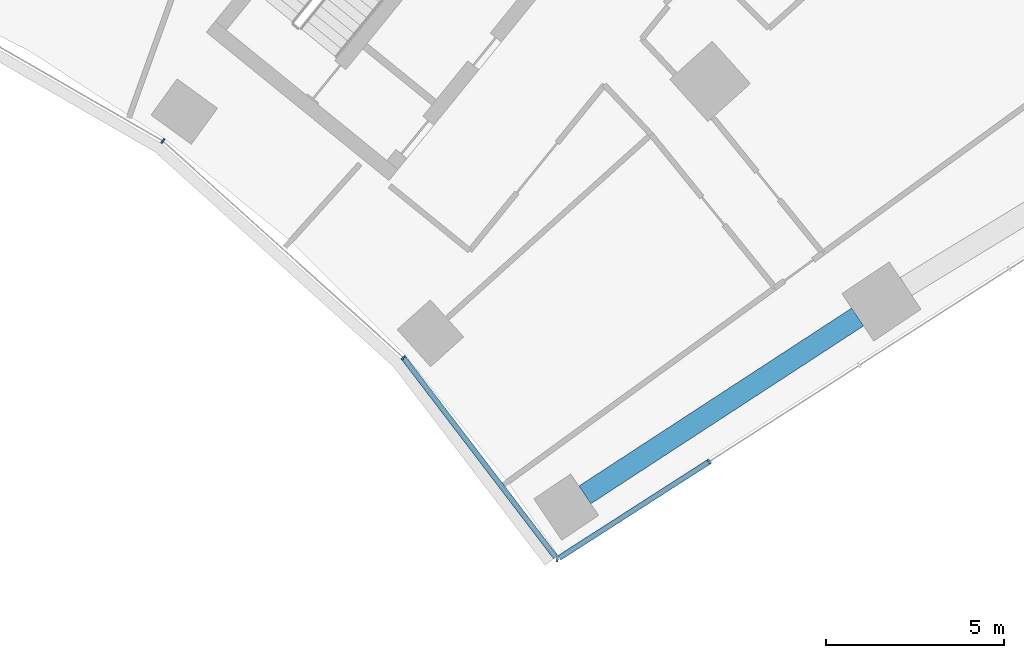
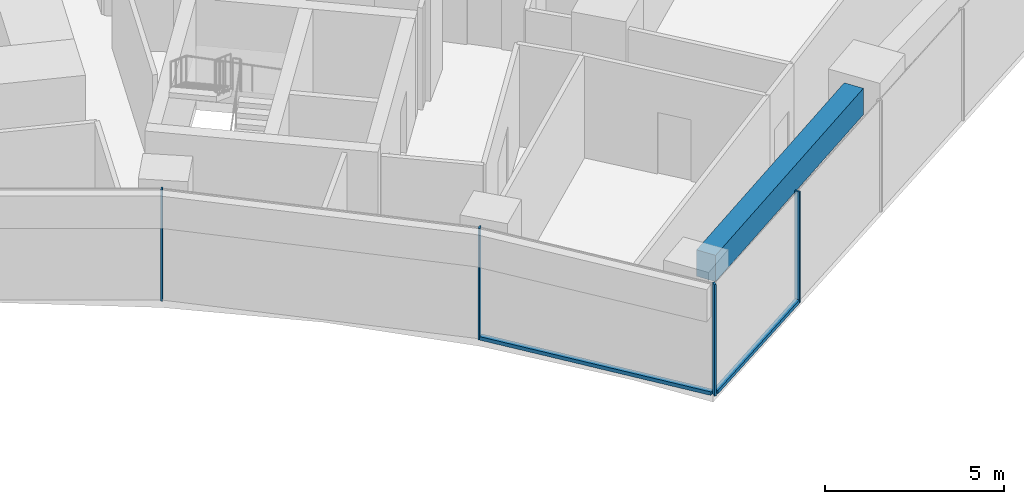
# One storey, part 8 of 21: 6 members, 1 beam, 2 elements without a shape of their own.
"""IFC4 building model written with IfcOpenShell, lengths in metres."""

import ifcopenshell
import ifcopenshell.guid

model = None  # the IFC model being written
_history = None  # IfcOwnerHistory: only IFC2X3 demands one
_inside = {}  # id of a spatial element -> (the spatial element, [elements in it])
_under = {}  # id of a project, library or spatial element -> (it, [spatial elements below it])
_declared = {}  # id of a project -> (the project, [libraries it declares])
_typed = {}  # id of a type object -> (the type object, [elements of that type])
_made_of = {}  # id of a material, layer set ... -> (it, [elements and type objects made of it])


def new_model(schema):
    """Start an empty IFC model of exactly this schema.

    Asked for "IFC4X3", IfcOpenShell would pick the latest addendum, in which some entities
    have other attributes; the version numbers below select the first issue.
    IFC2X3 requires an IfcOwnerHistory on every rooted entity: one is made here for all.
    """
    global model, _history
    if schema == "IFC4X3":
        model = ifcopenshell.file(schema_version=(4, 3, 0, 0))
    else:
        model = ifcopenshell.file(schema=schema)
    _inside.clear()
    _under.clear()
    _declared.clear()
    _typed.clear()
    _made_of.clear()
    _history = None
    if model.schema == "IFC2X3":
        org = make("IfcOrganization", Name="unknown")
        user = make(
            "IfcPersonAndOrganization",
            ThePerson=make("IfcPerson", FamilyName="unknown"),
            TheOrganization=org,
        )
        app = make(
            "IfcApplication",
            ApplicationDeveloper=org,
            Version="unknown",
            ApplicationFullName="unknown",
            ApplicationIdentifier="unknown",
        )
        _history = make(
            "IfcOwnerHistory",
            OwningUser=user,
            OwningApplication=app,
            ChangeAction="ADDED",
            CreationDate=0,
        )
    return model


def make(cls, **values):
    """One entity of the class cls with the attributes given. An attribute that is None is left unset."""
    return model.create_entity(
        cls, **{name: value for name, value in values.items() if value is not None}
    )


def rooted(cls, **values):
    """An entity with a GlobalId (a new one), such as an element, a storey or a relation."""
    return make(cls, GlobalId=ifcopenshell.guid.new(), OwnerHistory=_history, **values)


def si_unit(unit_type, name, prefix=None):
    """IfcSIUnit, for example si_unit("LENGTHUNIT", "METRE", prefix="MILLI")."""
    return make("IfcSIUnit", UnitType=unit_type, Prefix=prefix, Name=name)


def assignment(units):
    """IfcUnitAssignment: the units of a project."""
    return None if units is None else make("IfcUnitAssignment", Units=units)


def point(xyz):
    """IfcCartesianPoint."""
    return None if xyz is None else make("IfcCartesianPoint", Coordinates=xyz)


def direction(xyz):
    """IfcDirection."""
    return None if xyz is None else make("IfcDirection", DirectionRatios=xyz)


def frame(location, z_axis=None, x_axis=None):
    """IfcAxis2Placement3D, a coordinate frame: its origin and axes. An axis left out is left unset."""
    return make(
        "IfcAxis2Placement3D",
        Location=point(location),
        Axis=direction(z_axis),
        RefDirection=direction(x_axis),
    )


def frame_2d(location, x_axis=None):
    """IfcAxis2Placement2D, a coordinate frame in the plane: its origin and x axis."""
    return make(
        "IfcAxis2Placement2D", Location=point(location), RefDirection=direction(x_axis)
    )


def origin():
    """The frame at (0, 0, 0) with its axes left unset."""
    return frame((0.0, 0.0, 0.0))


def origin_2d():
    """The frame at (0, 0) in the plane with its x axis left unset."""
    return frame_2d((0.0, 0.0))


def place(relative_to, where):
    """IfcLocalPlacement: puts the frame where relative to a parent placement (None: the world)."""
    return make(
        "IfcLocalPlacement", PlacementRelTo=relative_to, RelativePlacement=where
    )


def context(
    kind, dimensions, precision=None, world=None, true_north=None, identifier=None
):
    """IfcGeometricRepresentationContext, for example the 3D "Model" context."""
    return make(
        "IfcGeometricRepresentationContext",
        ContextIdentifier=identifier,
        ContextType=kind,
        CoordinateSpaceDimension=dimensions,
        Precision=precision,
        WorldCoordinateSystem=world,
        TrueNorth=true_north,
    )


def subcontext(parent, identifier, kind, view, scale=None):
    """IfcGeometricRepresentationSubContext, for example "Body" below "Model"."""
    return make(
        "IfcGeometricRepresentationSubContext",
        ContextIdentifier=identifier,
        ContextType=kind,
        ParentContext=parent,
        TargetScale=scale,
        TargetView=view,
    )


def project(units=None, contexts=None):
    """IfcProject with its units and contexts."""
    return rooted(
        "IfcProject",
        Name="project",
        RepresentationContexts=contexts,
        UnitsInContext=assignment(units),
    )


def spatial(cls, under=None, at=None, **own):
    """A site, building, storey or space (cls), placed at a placement, below another one or the project."""
    s = rooted(cls, ObjectPlacement=at, **own)
    if under is not None:
        _under.setdefault(under.id(), (under, []))[1].append(s)
    return s


def profile(cls, at=None, kind="AREA", **sizes):
    """A parametric profile (cls). Its sizes go by their IFC names, for example OverallWidth=200.0."""
    return make(cls, ProfileType=kind, Position=at, **sizes)


def rectangle(**sizes):
    """IfcRectangleProfileDef."""
    return profile("IfcRectangleProfileDef", **sizes)


def extrude(swept, where, along, depth):
    """IfcExtrudedAreaSolid: the profile swept, set in the frame where, extruded along a direction by depth."""
    return make(
        "IfcExtrudedAreaSolid",
        SweptArea=swept,
        Position=where,
        ExtrudedDirection=direction(along),
        Depth=depth,
    )


def shape(context_of_items, identifier, shape_type, items):
    """IfcShapeRepresentation: the items that make up one representation, for example the "Body"."""
    return make(
        "IfcShapeRepresentation",
        ContextOfItems=context_of_items,
        RepresentationIdentifier=identifier,
        RepresentationType=shape_type,
        Items=items,
    )


def material(Name=None, Category=None):
    """IfcMaterial."""
    return make("IfcMaterial", Name=Name, Category=Category)


def layer(
    of_material, thickness, ventilated=None, Name=None, Category=None, Priority=None
):
    """IfcMaterialLayer: one layer of a wall or slab, of a material (None: an air gap)."""
    return make(
        "IfcMaterialLayer",
        Material=of_material,
        LayerThickness=thickness,
        IsVentilated=ventilated,
        Name=Name,
        Category=Category,
        Priority=Priority,
    )


def layer_set(layers, Name=None):
    """IfcMaterialLayerSet."""
    return make("IfcMaterialLayerSet", MaterialLayers=layers, LayerSetName=Name)


def material_profile(
    of_material, cross_section, Name=None, Category=None, Priority=None
):
    """IfcMaterialProfile: a cross section and its material."""
    return make(
        "IfcMaterialProfile",
        Name=Name,
        Material=of_material,
        Profile=cross_section,
        Priority=Priority,
        Category=Category,
    )


def profile_set(profiles, Name=None, composite=None):
    """IfcMaterialProfileSet."""
    return make(
        "IfcMaterialProfileSet",
        Name=Name,
        MaterialProfiles=profiles,
        CompositeProfile=composite,
    )


def made_of(thing, what):
    """Note that an element or type object is made of a material, layer set ...; save() writes the relation."""
    if what is not None:
        _made_of.setdefault(what.id(), (what, []))[1].append(thing)
    return thing


def type_object(cls, material=None, **own):
    """A type object (cls), such as IfcWallType, which elements share."""
    return made_of(rooted(cls, **own), material)


def element(
    cls,
    number,
    at=None,
    inside=None,
    cuts=None,
    type_object=None,
    material=None,
    context=None,
    identifier="Body",
    shape_type=None,
    held_by="IfcProductDefinitionShape",
    body=None,
    shapes=None,
    **own,
):
    """One element of the class cls, such as IfcWall. Its Tag is "e" and its number.

    at: its placement. inside: the storey or other place that contains it. cuts: it is an
    opening in that element (IfcRelVoidsElement). A single representation is given by context,
    identifier, shape_type and body (its items); several are given by shapes. held_by: the class
    of the entity that holds the representations. save() writes the other relations.
    """
    e = rooted(cls, Tag="e%d" % number, ObjectPlacement=at, **own)
    if body is not None:
        shapes = [shape(context, identifier, shape_type, body)]
    if shapes is not None:
        e.Representation = make(held_by, Representations=shapes)
    if inside is not None:
        _inside.setdefault(inside.id(), (inside, []))[1].append(e)
    if cuts is not None:
        rooted(
            "IfcRelVoidsElement", RelatingBuildingElement=cuts, RelatedOpeningElement=e
        )
    if type_object is not None:
        _typed.setdefault(type_object.id(), (type_object, []))[1].append(e)
    return made_of(e, material)


def aggregate(whole, parts):
    """IfcRelAggregates: a whole, such as a stair, and the parts it consists of."""
    return rooted("IfcRelAggregates", RelatingObject=whole, RelatedObjects=parts)


def save(model, path):
    """Write the relations noted so far, then the file.

    IfcRelAggregates (storeys below a building ...), IfcRelContainedInSpatialStructure (elements
    in a storey), IfcRelDefinesByType, IfcRelAssociatesMaterial and IfcRelDeclares: one each for
    every whole, place, type object, material and project.
    """
    for whole, parts in _under.values():
        aggregate(whole, parts)
    for where, things in _inside.values():
        rooted(
            "IfcRelContainedInSpatialStructure",
            RelatedElements=things,
            RelatingStructure=where,
        )
    for kind, things in _typed.values():
        rooted("IfcRelDefinesByType", RelatedObjects=things, RelatingType=kind)
    for what, things in _made_of.values():
        rooted("IfcRelAssociatesMaterial", RelatedObjects=things, RelatingMaterial=what)
    for by, libraries in _declared.values():
        rooted("IfcRelDeclares", RelatingContext=by, RelatedDefinitions=libraries)
    model.write(path)


model = new_model("IFC4")

# Units and contexts
model_context = context("Model", 3, precision=1e-05, world=origin(), true_north=direction((0.0, 1.0)))
body_context = subcontext(model_context, "Body", "Model", "MODEL_VIEW")
ifc_project = project(units=[si_unit("LENGTHUNIT", "METRE"), si_unit("AREAUNIT", "SQUARE_METRE"), si_unit("VOLUMEUNIT", "CUBIC_METRE"), si_unit("PLANEANGLEUNIT", "RADIAN"), si_unit("MASSUNIT", "GRAM", prefix="KILO")], contexts=[model_context])

# Site, building, storey
site_placement = place(None, origin())
site = spatial("IfcSite", under=ifc_project, at=site_placement, CompositionType="ELEMENT")
building_placement = place(site_placement, origin())
building = spatial("IfcBuilding", under=site, at=building_placement, Name="Stone Belt Terrace Tower", CompositionType="ELEMENT")
storey_placement = place(building_placement, frame((0.0, 0.0, 49.0)))
storey = spatial("IfcBuildingStorey", under=building, at=storey_placement, Name="L11", CompositionType="ELEMENT", Elevation=49.0)

# Curtain wall, members
ifc_material_1 = material(Name="Aluminium 6063-T6 anodised frame", Category="aluminium")
ifc_layer_1 = layer(ifc_material_1, 0.14990234375)
ifc_layer_set_1 = layer_set([ifc_layer_1], Name="CW-B unitised concave-face curtain wall")
curtain_wall_type_1 = type_object("IfcCurtainWallType", Name="CW-B unitised concave-face curtain wall", PredefinedType="NOTDEFINED", material=ifc_layer_set_1)
curtain_wall_1_placement = place(storey_placement, origin())
curtain_wall_1 = element("IfcCurtainWall", 1, at=curtain_wall_1_placement, inside=storey, type_object=curtain_wall_type_1, Name="CW-B concave face L11", PredefinedType="NOTDEFINED")
ifc_material_profile_1 = material_profile(ifc_material_1, rectangle(XDim=0.14990234375, YDim=0.050048828125, at=origin_2d()), Name="Aluminium 6063-T6 50x150")
ifc_profile_set_1 = profile_set([ifc_material_profile_1], Name="Aluminium 6063-T6 anodised frame")
member_type_1 = type_object("IfcMemberType", Name="CW-B mullion 50 x 150", PredefinedType="MULLION", material=ifc_profile_set_1)
member_1_placement = place(storey_placement, frame((25.5244140625, 35.13134765625, 0.0), z_axis=(0.0, 0.0, 1.0), x_axis=(0.587785252292, 0.809016994375, 0.0)))
member_1 = element("IfcMember", 2, at=member_1_placement, type_object=member_type_1, Name="CW-B mullion 9", PredefinedType="MULLION", context=body_context, shape_type="SweptSolid", body=[
    extrude(rectangle(XDim=0.14990234375, YDim=0.050048828125, at=origin_2d()), origin(), (0.0, 0.0, 1.0), 3.800048828125),
])
member_2_placement = place(storey_placement, frame((32.271484375, 29.05615234375, 0.0), z_axis=(0.0, 0.0, 1.0), x_axis=(0.735197945391, 0.677852477382, 0.0)))
member_2 = element("IfcMember", 3, at=member_2_placement, type_object=member_type_1, Name="CW-B mullion 10", PredefinedType="MULLION", context=body_context, shape_type="SweptSolid", body=[
    extrude(rectangle(XDim=0.14990234375, YDim=0.050048828125, at=origin_2d()), origin(), (0.0, 0.0, 1.0), 3.800048828125),
])
ifc_material_profile_2 = material_profile(ifc_material_1, rectangle(XDim=0.14990234375, YDim=0.1201171875, at=origin_2d()), Name="Aluminium 6063-T6 150x120")
ifc_profile_set_2 = profile_set([ifc_material_profile_2], Name="Aluminium 6063-T6 anodised frame")
member_type_2 = type_object("IfcMemberType", Name="CW-B transom 120 x 150", PredefinedType="USERDEFINED", material=ifc_profile_set_2)
member_3_placement = place(storey_placement, frame((32.290771484375, 29.03076171875, 0.06005859375), z_axis=(0.606726017756, -0.794911026076, 0.0), x_axis=(0.794911026076, 0.606726017756, 0.0)))
member_3 = element("IfcMember", 4, at=member_3_placement, type_object=member_type_2, Name="CW-B transom 10.1", ObjectType="TRANSOM", PredefinedType="USERDEFINED", context=body_context, shape_type="SweptSolid", body=[
    extrude(rectangle(XDim=0.14990234375, YDim=0.1201171875, at=origin_2d()), origin(), (0.0, 0.0, 1.0), 7.0107421875),
])
aggregate(curtain_wall_1, [member_1, member_2, member_3])

ifc_layer_2 = layer(ifc_material_1, 0.14990234375)
ifc_layer_set_2 = layer_set([ifc_layer_2], Name="CW-C stick curtain wall, horn ends and notches")
curtain_wall_type_2 = type_object("IfcCurtainWallType", Name="CW-C stick curtain wall, horn ends and notches", PredefinedType="NOTDEFINED", material=ifc_layer_set_2)
curtain_wall_2_placement = place(storey_placement, origin())
curtain_wall_2 = element("IfcCurtainWall", 5, at=curtain_wall_2_placement, inside=storey, type_object=curtain_wall_type_2, Name="CW-C end face L11", PredefinedType="NOTDEFINED")
ifc_material_profile_3 = material_profile(ifc_material_1, rectangle(XDim=0.14990234375, YDim=0.06005859375, at=origin_2d()), Name="Aluminium 6063-T6 60x150")
ifc_profile_set_3 = profile_set([ifc_material_profile_3], Name="Aluminium 6063-T6 anodised frame")
member_type_3 = type_object("IfcMemberType", Name="CW-C mullion 60 x 150", PredefinedType="MULLION", material=ifc_profile_set_3)
member_4_placement = place(storey_placement, frame((36.58642578125, 23.402587890625, 0.0), z_axis=(0.0, 0.0, 1.0), x_axis=(0.173164046531, 0.984892995705, 0.0)))
member_4 = element("IfcMember", 6, at=member_4_placement, type_object=member_type_3, Name="CW-C mullion 1", PredefinedType="MULLION", context=body_context, shape_type="SweptSolid", body=[
    extrude(rectangle(XDim=0.14990234375, YDim=0.06005859375, at=origin_2d()), origin(), (0.0, 0.0, 1.0), 3.800048828125),
])
member_5_placement = place(storey_placement, frame((40.851806640625, 26.1416015625, 0.0), z_axis=(0.0, 0.0, 1.0), x_axis=(-0.540302305869, 0.841470984807, 0.0)))
member_5 = element("IfcMember", 7, at=member_5_placement, type_object=member_type_3, Name="CW-C mullion 2", PredefinedType="MULLION", context=body_context, shape_type="SweptSolid", body=[
    extrude(rectangle(XDim=0.14990234375, YDim=0.06005859375, at=origin_2d()), origin(), (0.0, 0.0, 1.0), 3.800048828125),
])
ifc_material_profile_4 = material_profile(ifc_material_1, rectangle(XDim=0.14990234375, YDim=0.1201171875, at=origin_2d()), Name="Aluminium 6063-T6 150x120")
ifc_profile_set_4 = profile_set([ifc_material_profile_4], Name="Aluminium 6063-T6 anodised frame")
member_type_4 = type_object("IfcMemberType", Name="CW-C transom 120 x 150", PredefinedType="USERDEFINED", material=ifc_profile_set_4)
member_6_placement = place(storey_placement, frame((36.647705078125, 23.442138671875, 0.06005859375), z_axis=(0.841486614614, 0.540277963113, 0.0), x_axis=(-0.540277963113, 0.841486614614, 0.0)))
member_6 = element("IfcMember", 8, at=member_6_placement, type_object=member_type_4, Name="CW-C transom 1.1", ObjectType="TRANSOM", PredefinedType="USERDEFINED", context=body_context, shape_type="SweptSolid", body=[
    extrude(rectangle(XDim=0.14990234375, YDim=0.1201171875, at=origin_2d()), origin(), (0.0, 0.0, 1.0), 4.966064453125),
])
aggregate(curtain_wall_2, [member_4, member_5, member_6])

# Beam
ifc_material_2 = material(Name="Concrete B60", Category="concrete")
ifc_material_profile_5 = material_profile(ifc_material_2, rectangle(XDim=0.60009765625, YDim=0.89990234375, at=origin_2d()), Name="RC 600x900")
ifc_profile_set_5 = profile_set([ifc_material_profile_5], Name="Concrete B60")
beam_type = type_object("IfcBeamType", Name="Edge beam RC 600x900 B60", PredefinedType="SPANDREL", material=ifc_profile_set_5)
beam_placement = place(storey_placement, frame((37.36181640625, 25.20703125, 3.030029296875), z_axis=(0.837606341505, 0.546274305337, 0.0), x_axis=(-0.546274305337, 0.837606341505, 0.0)))
element("IfcBeam", 9, at=beam_placement, inside=storey, type_object=beam_type, Name="Edge beam L11 B P to Q", PredefinedType="SPANDREL", context=body_context, shape_type="SweptSolid", body=[
    extrude(rectangle(XDim=0.60009765625, YDim=0.89990234375, at=origin_2d()), origin(), (0.0, 0.0, 1.0), 9.131103515625),
])

save(model, "model.ifc")
